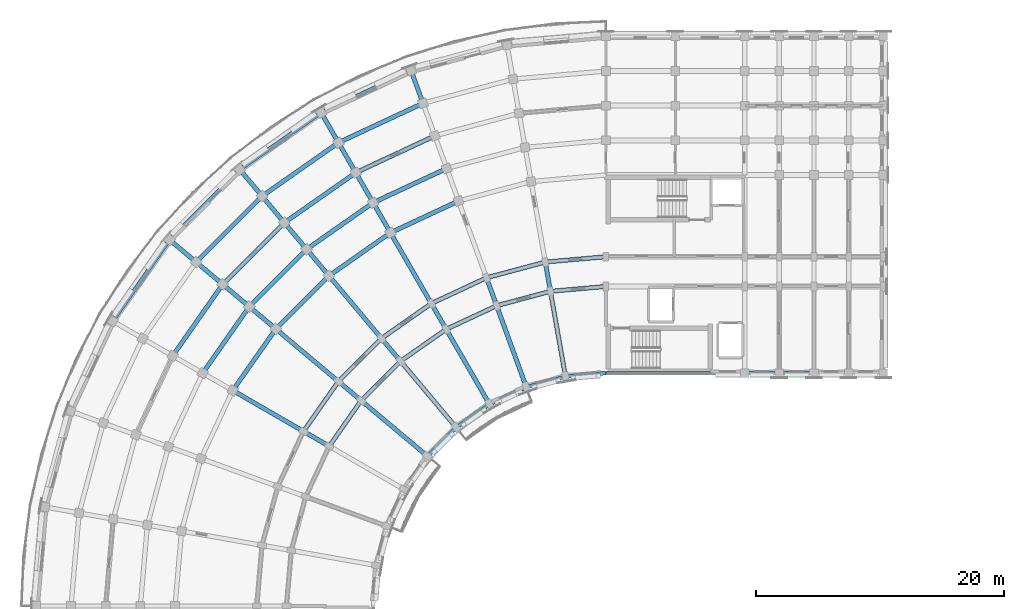
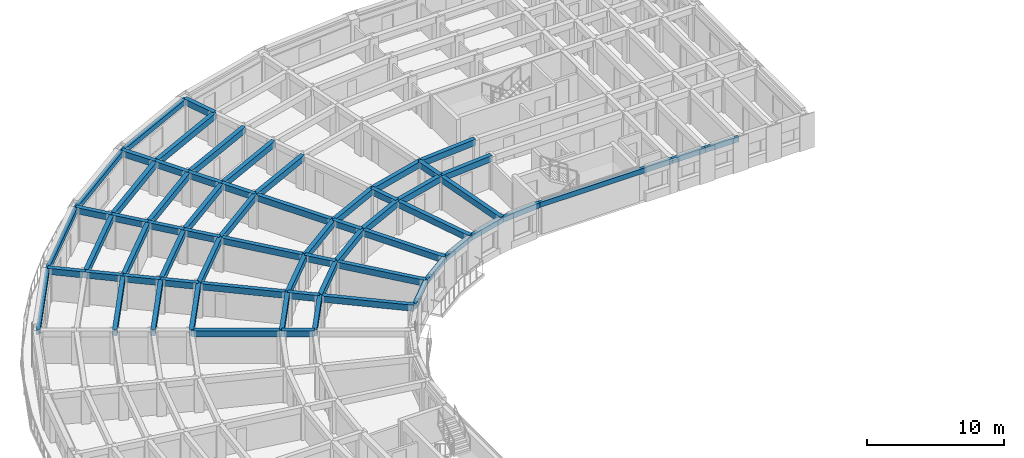
# One storey, part 9 of 57: 67 beams.
"""IFC4 building model written with IfcOpenShell, lengths in metres."""

from ifc_helpers import new_model, si_unit, direction, frame, origin, origin_2d, place, context, subcontext, project, spatial, rectangle, extrude, material, material_profile, profile_set, type_object, element, save


model = new_model("IFC4")

# Units and contexts
model_context = context("Model", 3, precision=1e-05, world=origin(), true_north=direction((0.0, 1.0)))
body_context = subcontext(model_context, "Body", "Model", "MODEL_VIEW")
ifc_project = project(units=[si_unit("LENGTHUNIT", "METRE"), si_unit("AREAUNIT", "SQUARE_METRE"), si_unit("VOLUMEUNIT", "CUBIC_METRE"), si_unit("PLANEANGLEUNIT", "RADIAN"), si_unit("MASSUNIT", "GRAM", prefix="KILO")], contexts=[model_context])

# Site, building, storey
site_placement = place(None, origin())
site = spatial("IfcSite", under=ifc_project, at=site_placement, CompositionType="ELEMENT")
building_placement = place(site_placement, origin())
building = spatial("IfcBuilding", under=site, at=building_placement, Name="Kiranvali Square Residences", CompositionType="ELEMENT")
storey_placement = place(building_placement, frame((0.0, 0.0, 21.300048828125)))
storey = spatial("IfcBuildingStorey", under=building, at=storey_placement, Name="L06", CompositionType="ELEMENT", Elevation=21.300048828125)

# Beams
ifc_material = material(Name="Concrete M40 (40 MPa)", Category="concrete")
ifc_material_profile_1 = material_profile(ifc_material, rectangle(XDim=0.35009765625, YDim=0.550048828125, at=origin_2d()), Name="RC 350x550")
ifc_profile_set_1 = profile_set([ifc_material_profile_1], Name="Concrete M40 (40 MPa)")
beam_type_1 = type_object("IfcBeamType", Name="BM-M40-350x550", PredefinedType="BEAM", material=ifc_profile_set_1)
beam_1_placement = place(storey_placement, frame((48.199951171875, 113.60009765625, 2.655029296875), z_axis=(-0.996191949488, -0.087187153726, 0.0), x_axis=(0.087187153726, -0.996191949488, 0.0)))
element("IfcBeam", 1, at=beam_1_placement, inside=storey, type_object=beam_type_1, Name="L06 beam BM-A-L06-C00-R1", PredefinedType="BEAM", context=body_context, shape_type="SweptSolid", body=[
    extrude(rectangle(XDim=0.35009765625, YDim=0.550048828125, at=origin_2d()), origin(), (0.0, 0.0, 1.0), 4.4970703125),
])
beam_2_placement = place(storey_placement, frame((48.199951171875, 116.0, 2.655029296875), z_axis=(-0.996193663584, -0.087167566415, 0.0), x_axis=(0.087167566415, -0.996193663584, 0.0)))
element("IfcBeam", 2, at=beam_2_placement, inside=storey, type_object=beam_type_1, Name="L06 beam BM-A-L06-C00-R2", PredefinedType="BEAM", context=body_context, shape_type="SweptSolid", body=[
    extrude(rectangle(XDim=0.35009765625, YDim=0.550048828125, at=origin_2d()), origin(), (0.0, 0.0, 1.0), 4.91552734375),
])
beam_3_placement = place(storey_placement, frame((43.719970703125, 113.2080078125, 2.655029296875), z_axis=(-0.965934240054, -0.258787642463, 0.0), x_axis=(0.258787642463, -0.965934240054, 0.0)))
element("IfcBeam", 3, at=beam_3_placement, inside=storey, type_object=beam_type_1, Name="L06 beam BM-A-L06-C01-R1", PredefinedType="BEAM", context=body_context, shape_type="SweptSolid", body=[
    extrude(rectangle(XDim=0.35009765625, YDim=0.550048828125, at=origin_2d()), origin(), (0.0, 0.0, 1.0), 4.497314453125),
])
beam_4_placement = place(storey_placement, frame((43.30322265625, 115.571533203125, 2.655029296875), z_axis=(-0.965930095386, -0.258803112091, 0.0), x_axis=(0.258803112091, -0.965930095386, 0.0)))
element("IfcBeam", 4, at=beam_4_placement, inside=storey, type_object=beam_type_1, Name="L06 beam BM-A-L06-C01-R2", PredefinedType="BEAM", context=body_context, shape_type="SweptSolid", body=[
    extrude(rectangle(XDim=0.35009765625, YDim=0.550048828125, at=origin_2d()), origin(), (0.0, 0.0, 1.0), 4.915771484375),
])
beam_5_placement = place(storey_placement, frame((39.3759765625, 112.044189453125, 2.655029296875), z_axis=(-0.906307919131, -0.422617978463, 0.0), x_axis=(0.422617978463, -0.906307919131, 0.0)))
element("IfcBeam", 5, at=beam_5_placement, inside=storey, type_object=beam_type_1, Name="L06 beam BM-A-L06-C02-R1", PredefinedType="BEAM", context=body_context, shape_type="SweptSolid", body=[
    extrude(rectangle(XDim=0.35009765625, YDim=0.550048828125, at=origin_2d()), origin(), (0.0, 0.0, 1.0), 4.497314453125),
])
beam_6_placement = place(storey_placement, frame((38.554931640625, 114.29931640625, 2.655029296875), z_axis=(-0.906302381024, -0.422629854778, 0.0), x_axis=(0.422629854778, -0.906302381024, 0.0)))
element("IfcBeam", 6, at=beam_6_placement, inside=storey, type_object=beam_type_1, Name="L06 beam BM-A-L06-C02-R2", PredefinedType="BEAM", context=body_context, shape_type="SweptSolid", body=[
    extrude(rectangle(XDim=0.35009765625, YDim=0.550048828125, at=origin_2d()), origin(), (0.0, 0.0, 1.0), 4.915283203125),
])
beam_7_placement = place(storey_placement, frame((36.297607421875, 120.501220703125, 2.655029296875), z_axis=(-0.906312656069, -0.42260781991, 0.0), x_axis=(0.42260781991, -0.906312656069, 0.0)))
element("IfcBeam", 7, at=beam_7_placement, inside=storey, type_object=beam_type_1, Name="L06 beam BM-A-L06-C02-R3", PredefinedType="BEAM", context=body_context, shape_type="SweptSolid", body=[
    extrude(rectangle(XDim=0.35009765625, YDim=0.550048828125, at=origin_2d()), origin(), (0.0, 0.0, 1.0), 6.06591796875),
])
beam_8_placement = place(storey_placement, frame((35.340087890625, 123.13232421875, 2.655029296875), z_axis=(-0.906318225223, -0.422595876255, 0.0), x_axis=(0.422595876255, -0.906318225223, 0.0)))
element("IfcBeam", 8, at=beam_8_placement, inside=storey, type_object=beam_type_1, Name="L06 beam BM-A-L06-C02-R4", PredefinedType="BEAM", context=body_context, shape_type="SweptSolid", body=[
    extrude(rectangle(XDim=0.35009765625, YDim=0.550048828125, at=origin_2d()), origin(), (0.0, 0.0, 1.0), 6.55419921875),
])
beam_9_placement = place(storey_placement, frame((34.38232421875, 125.763671875, 2.655029296875), z_axis=(-0.906297360311, -0.422640621205, 0.0), x_axis=(0.422640621205, -0.906297360311, 0.0)))
element("IfcBeam", 9, at=beam_9_placement, inside=storey, type_object=beam_type_1, Name="L06 beam BM-A-L06-C02-R5", PredefinedType="BEAM", context=body_context, shape_type="SweptSolid", body=[
    extrude(rectangle(XDim=0.35009765625, YDim=0.550048828125, at=origin_2d()), origin(), (0.0, 0.0, 1.0), 7.042236328125),
])
beam_10_placement = place(storey_placement, frame((33.4248046875, 128.394775390625, 2.655029296875), z_axis=(-0.90630982703, -0.422613886933, 0.0), x_axis=(0.422613886933, -0.90630982703, 0.0)))
element("IfcBeam", 10, at=beam_10_placement, inside=storey, type_object=beam_type_1, Name="L06 beam BM-A-L06-C02-R6", PredefinedType="BEAM", context=body_context, shape_type="SweptSolid", body=[
    extrude(rectangle(XDim=0.35009765625, YDim=0.550048828125, at=origin_2d()), origin(), (0.0, 0.0, 1.0), 7.5302734375),
])
beam_11_placement = place(storey_placement, frame((35.300048828125, 110.1435546875, 2.655029296875), z_axis=(-0.819155404658, -0.573571637217, 0.0), x_axis=(0.573571637217, -0.819155404658, 0.0)))
element("IfcBeam", 11, at=beam_11_placement, inside=storey, type_object=beam_type_1, Name="L06 beam BM-A-L06-C03-R1", PredefinedType="BEAM", context=body_context, shape_type="SweptSolid", body=[
    extrude(rectangle(XDim=0.35009765625, YDim=0.550048828125, at=origin_2d()), origin(), (0.0, 0.0, 1.0), 4.497314453125),
])
beam_12_placement = place(storey_placement, frame((34.10009765625, 112.221923828125, 2.655029296875), z_axis=(-0.819140911474, -0.573592335331, 0.0), x_axis=(0.573592335331, -0.819140911474, 0.0)))
element("IfcBeam", 12, at=beam_12_placement, inside=storey, type_object=beam_type_1, Name="L06 beam BM-A-L06-C03-R2", PredefinedType="BEAM", context=body_context, shape_type="SweptSolid", body=[
    extrude(rectangle(XDim=0.35009765625, YDim=0.550048828125, at=origin_2d()), origin(), (0.0, 0.0, 1.0), 4.915771484375),
])
beam_13_placement = place(storey_placement, frame((30.800048828125, 117.937744140625, 2.655029296875), z_axis=(-0.81913926159, -0.573594691504, 0.0), x_axis=(0.573594691504, -0.81913926159, 0.0)))
element("IfcBeam", 13, at=beam_13_placement, inside=storey, type_object=beam_type_1, Name="L06 beam BM-A-L06-C03-R3", PredefinedType="BEAM", context=body_context, shape_type="SweptSolid", body=[
    extrude(rectangle(XDim=0.35009765625, YDim=0.550048828125, at=origin_2d()), origin(), (0.0, 0.0, 1.0), 6.066162109375),
])
beam_14_placement = place(storey_placement, frame((29.39990234375, 120.362548828125, 2.655029296875), z_axis=(-0.819144409176, -0.573587340268, 0.0), x_axis=(0.573587340268, -0.819144409176, 0.0)))
element("IfcBeam", 14, at=beam_14_placement, inside=storey, type_object=beam_type_1, Name="L06 beam BM-A-L06-C03-R4", PredefinedType="BEAM", context=body_context, shape_type="SweptSolid", body=[
    extrude(rectangle(XDim=0.35009765625, YDim=0.550048828125, at=origin_2d()), origin(), (0.0, 0.0, 1.0), 6.553955078125),
])
beam_15_placement = place(storey_placement, frame((28.0, 122.787353515625, 2.655029296875), z_axis=(-0.819160249246, -0.57356471828, 0.0), x_axis=(0.57356471828, -0.819160249246, 0.0)))
element("IfcBeam", 15, at=beam_15_placement, inside=storey, type_object=beam_type_1, Name="L06 beam BM-A-L06-C03-R5", PredefinedType="BEAM", context=body_context, shape_type="SweptSolid", body=[
    extrude(rectangle(XDim=0.35009765625, YDim=0.550048828125, at=origin_2d()), origin(), (0.0, 0.0, 1.0), 7.0419921875),
])
beam_16_placement = place(storey_placement, frame((26.60009765625, 125.21240234375, 2.655029296875), z_axis=(-0.819143569597, -0.573588539275, 0.0), x_axis=(0.573588539275, -0.819143569597, 0.0)))
element("IfcBeam", 16, at=beam_16_placement, inside=storey, type_object=beam_type_1, Name="L06 beam BM-A-L06-C03-R6", PredefinedType="BEAM", context=body_context, shape_type="SweptSolid", body=[
    extrude(rectangle(XDim=0.35009765625, YDim=0.550048828125, at=origin_2d()), origin(), (0.0, 0.0, 1.0), 7.5302734375),
])
beam_17_placement = place(storey_placement, frame((31.615966796875, 107.56396484375, 2.655029296875), z_axis=(-0.707106781187, -0.707106781187, 0.0), x_axis=(0.707106781187, -0.707106781187, 0.0)))
element("IfcBeam", 17, at=beam_17_placement, inside=storey, type_object=beam_type_1, Name="L06 beam BM-A-L06-C04-R1", PredefinedType="BEAM", context=body_context, shape_type="SweptSolid", body=[
    extrude(rectangle(XDim=0.35009765625, YDim=0.550048828125, at=origin_2d()), origin(), (0.0, 0.0, 1.0), 4.4970703125),
])
beam_18_placement = place(storey_placement, frame((30.073486328125, 109.40234375, 2.655029296875), z_axis=(-0.707106781187, -0.707106781187, 0.0), x_axis=(0.707106781187, -0.707106781187, 0.0)))
element("IfcBeam", 18, at=beam_18_placement, inside=storey, type_object=beam_type_1, Name="L06 beam BM-A-L06-C04-R2", PredefinedType="BEAM", context=body_context, shape_type="SweptSolid", body=[
    extrude(rectangle(XDim=0.35009765625, YDim=0.550048828125, at=origin_2d()), origin(), (0.0, 0.0, 1.0), 4.91552734375),
])
beam_19_placement = place(storey_placement, frame((25.8310546875, 114.458251953125, 2.655029296875), z_axis=(-0.707106781187, -0.707106781187, 0.0), x_axis=(0.707106781187, -0.707106781187, 0.0)))
element("IfcBeam", 19, at=beam_19_placement, inside=storey, type_object=beam_type_1, Name="L06 beam BM-A-L06-C04-R3", PredefinedType="BEAM", context=body_context, shape_type="SweptSolid", body=[
    extrude(rectangle(XDim=0.35009765625, YDim=0.550048828125, at=origin_2d()), origin(), (0.0, 0.0, 1.0), 6.06591796875),
])
beam_20_placement = place(storey_placement, frame((24.03125, 116.603271484375, 2.655029296875), z_axis=(-0.707106781187, -0.707106781187, 0.0), x_axis=(0.707106781187, -0.707106781187, 0.0)))
element("IfcBeam", 20, at=beam_20_placement, inside=storey, type_object=beam_type_1, Name="L06 beam BM-A-L06-C04-R4", PredefinedType="BEAM", context=body_context, shape_type="SweptSolid", body=[
    extrude(rectangle(XDim=0.35009765625, YDim=0.550048828125, at=origin_2d()), origin(), (0.0, 0.0, 1.0), 6.55419921875),
])
beam_21_placement = place(storey_placement, frame((22.2314453125, 118.748291015625, 2.655029296875), z_axis=(-0.707106781187, -0.707106781187, 0.0), x_axis=(0.707106781187, -0.707106781187, 0.0)))
element("IfcBeam", 21, at=beam_21_placement, inside=storey, type_object=beam_type_1, Name="L06 beam BM-A-L06-C04-R5", PredefinedType="BEAM", context=body_context, shape_type="SweptSolid", body=[
    extrude(rectangle(XDim=0.35009765625, YDim=0.550048828125, at=origin_2d()), origin(), (0.0, 0.0, 1.0), 7.04248046875),
])
beam_22_placement = place(storey_placement, frame((20.431640625, 120.89306640625, 2.655029296875), z_axis=(-0.707106781187, -0.707106781187, 0.0), x_axis=(0.707106781187, -0.707106781187, 0.0)))
element("IfcBeam", 22, at=beam_22_placement, inside=storey, type_object=beam_type_1, Name="L06 beam BM-A-L06-C04-R6", PredefinedType="BEAM", context=body_context, shape_type="SweptSolid", body=[
    extrude(rectangle(XDim=0.35009765625, YDim=0.550048828125, at=origin_2d()), origin(), (0.0, 0.0, 1.0), 7.5302734375),
])
beam_23_placement = place(storey_placement, frame((28.43603515625, 104.384033203125, 2.655029296875), z_axis=(-0.573571637217, -0.819155404658, 0.0), x_axis=(0.819155404658, -0.573571637217, 0.0)))
element("IfcBeam", 23, at=beam_23_placement, inside=storey, type_object=beam_type_1, Name="L06 beam BM-A-L06-C05-R1", PredefinedType="BEAM", context=body_context, shape_type="SweptSolid", body=[
    extrude(rectangle(XDim=0.35009765625, YDim=0.550048828125, at=origin_2d()), origin(), (0.0, 0.0, 1.0), 4.497314453125),
])
beam_24_placement = place(storey_placement, frame((26.59765625, 105.926513671875, 2.655029296875), z_axis=(-0.573592335331, -0.819140911474, 0.0), x_axis=(0.819140911474, -0.573592335331, 0.0)))
element("IfcBeam", 24, at=beam_24_placement, inside=storey, type_object=beam_type_1, Name="L06 beam BM-A-L06-C05-R2", PredefinedType="BEAM", context=body_context, shape_type="SweptSolid", body=[
    extrude(rectangle(XDim=0.35009765625, YDim=0.550048828125, at=origin_2d()), origin(), (0.0, 0.0, 1.0), 4.915771484375),
])
beam_25_placement = place(storey_placement, frame((21.541748046875, 110.1689453125, 2.655029296875), z_axis=(-0.573594691504, -0.81913926159, 0.0), x_axis=(0.81913926159, -0.573594691504, 0.0)))
element("IfcBeam", 25, at=beam_25_placement, inside=storey, type_object=beam_type_1, Name="L06 beam BM-A-L06-C05-R3", PredefinedType="BEAM", context=body_context, shape_type="SweptSolid", body=[
    extrude(rectangle(XDim=0.35009765625, YDim=0.550048828125, at=origin_2d()), origin(), (0.0, 0.0, 1.0), 6.066162109375),
])
beam_26_placement = place(storey_placement, frame((19.396728515625, 111.96875, 2.655029296875), z_axis=(-0.573587340268, -0.819144409176, 0.0), x_axis=(0.819144409176, -0.573587340268, 0.0)))
element("IfcBeam", 26, at=beam_26_placement, inside=storey, type_object=beam_type_1, Name="L06 beam BM-A-L06-C05-R4", PredefinedType="BEAM", context=body_context, shape_type="SweptSolid", body=[
    extrude(rectangle(XDim=0.35009765625, YDim=0.550048828125, at=origin_2d()), origin(), (0.0, 0.0, 1.0), 6.553955078125),
])
beam_27_placement = place(storey_placement, frame((17.251708984375, 113.7685546875, 2.655029296875), z_axis=(-0.57356471828, -0.819160249246, 0.0), x_axis=(0.819160249246, -0.57356471828, 0.0)))
element("IfcBeam", 27, at=beam_27_placement, inside=storey, type_object=beam_type_1, Name="L06 beam BM-A-L06-C05-R5", PredefinedType="BEAM", context=body_context, shape_type="SweptSolid", body=[
    extrude(rectangle(XDim=0.35009765625, YDim=0.550048828125, at=origin_2d()), origin(), (0.0, 0.0, 1.0), 7.0419921875),
])
beam_28_placement = place(storey_placement, frame((44.935302734375, 106.314453125, 2.655029296875), z_axis=(-0.173622177865, 0.984812337125, 0.0), x_axis=(-0.984812337125, -0.173622177865, 0.0)))
element("IfcBeam", 28, at=beam_28_placement, inside=storey, type_object=beam_type_1, Name="L06 beam BM-A-L06-RAD01-01", PredefinedType="BEAM", context=body_context, shape_type="SweptSolid", body=[
    extrude(rectangle(XDim=0.35009765625, YDim=0.550048828125, at=origin_2d()), origin(), (0.0, 0.0, 1.0), 6.999755859375),
])
beam_29_placement = place(storey_placement, frame((43.719970703125, 113.2080078125, 2.655029296875), z_axis=(-0.173646056486, 0.984808127031, 0.0), x_axis=(-0.984808127031, -0.173646056486, 0.0)))
element("IfcBeam", 29, at=beam_29_placement, inside=storey, type_object=beam_type_1, Name="L06 beam BM-A-L06-RAD01-12", PredefinedType="BEAM", context=body_context, shape_type="SweptSolid", body=[
    extrude(rectangle(XDim=0.35009765625, YDim=0.550048828125, at=origin_2d()), origin(), (0.0, 0.0, 1.0), 2.39990234375),
])
beam_30_placement = place(storey_placement, frame((41.77001953125, 105.46630859375, 2.655029296875), z_axis=(-0.342006283793, 0.939697665127, 0.0), x_axis=(-0.939697665127, -0.342006283793, 0.0)))
element("IfcBeam", 30, at=beam_30_placement, inside=storey, type_object=beam_type_1, Name="L06 beam BM-A-L06-RAD02-01", PredefinedType="BEAM", context=body_context, shape_type="SweptSolid", body=[
    extrude(rectangle(XDim=0.35009765625, YDim=0.550048828125, at=origin_2d()), origin(), (0.0, 0.0, 1.0), 7.0),
])
beam_31_placement = place(storey_placement, frame((39.3759765625, 112.044189453125, 2.655029296875), z_axis=(-0.342110593602, 0.939659694648, 0.0), x_axis=(-0.939659694648, -0.342110593602, 0.0)))
element("IfcBeam", 31, at=beam_31_placement, inside=storey, type_object=beam_type_1, Name="L06 beam BM-A-L06-RAD02-12", PredefinedType="BEAM", context=body_context, shape_type="SweptSolid", body=[
    extrude(rectangle(XDim=0.35009765625, YDim=0.550048828125, at=origin_2d()), origin(), (0.0, 0.0, 1.0), 2.39990234375),
])
beam_32_placement = place(storey_placement, frame((33.4248046875, 128.394775390625, 2.655029296875), z_axis=(-0.342058084236, 0.939678810556, 0.0), x_axis=(-0.939678810556, -0.342058084236, 0.0)))
element("IfcBeam", 32, at=beam_32_placement, inside=storey, type_object=beam_type_1, Name="L06 beam BM-A-L06-RAD02-67", PredefinedType="BEAM", context=body_context, shape_type="SweptSolid", body=[
    extrude(rectangle(XDim=0.35009765625, YDim=0.550048828125, at=origin_2d()), origin(), (0.0, 0.0, 1.0), 2.800048828125),
])
beam_33_placement = place(storey_placement, frame((38.800048828125, 104.081298828125, 2.655029296875), z_axis=(-0.499995173006, 0.866028190633, 0.0), x_axis=(-0.866028190633, -0.499995173006, 0.0)))
element("IfcBeam", 33, at=beam_33_placement, inside=storey, type_object=beam_type_1, Name="L06 beam BM-A-L06-RAD03-01", PredefinedType="BEAM", context=body_context, shape_type="SweptSolid", body=[
    extrude(rectangle(XDim=0.35009765625, YDim=0.550048828125, at=origin_2d()), origin(), (0.0, 0.0, 1.0), 7.0),
])
beam_34_placement = place(storey_placement, frame((35.300048828125, 110.1435546875, 2.655029296875), z_axis=(-0.500001309137, 0.866024647952, 0.0), x_axis=(-0.866024647952, -0.500001309137, 0.0)))
element("IfcBeam", 34, at=beam_34_placement, inside=storey, type_object=beam_type_1, Name="L06 beam BM-A-L06-RAD03-12", PredefinedType="BEAM", context=body_context, shape_type="SweptSolid", body=[
    extrude(rectangle(XDim=0.35009765625, YDim=0.550048828125, at=origin_2d()), origin(), (0.0, 0.0, 1.0), 2.39990234375),
])
beam_35_placement = place(storey_placement, frame((34.10009765625, 112.221923828125, 2.655029296875), z_axis=(-0.500002094529, 0.866024194504, 0.0), x_axis=(-0.866024194504, -0.500002094529, 0.0)))
element("IfcBeam", 35, at=beam_35_placement, inside=storey, type_object=beam_type_1, Name="L06 beam BM-A-L06-RAD03-23", PredefinedType="BEAM", context=body_context, shape_type="SweptSolid", body=[
    extrude(rectangle(XDim=0.35009765625, YDim=0.550048828125, at=origin_2d()), origin(), (0.0, 0.0, 1.0), 6.60009765625),
])
beam_36_placement = place(storey_placement, frame((30.800048828125, 117.937744140625, 2.655029296875), z_axis=(-0.500049511043, 0.865996816683, 0.0), x_axis=(-0.865996816683, -0.500049511043, 0.0)))
element("IfcBeam", 36, at=beam_36_placement, inside=storey, type_object=beam_type_1, Name="L06 beam BM-A-L06-RAD03-34", PredefinedType="BEAM", context=body_context, shape_type="SweptSolid", body=[
    extrude(rectangle(XDim=0.35009765625, YDim=0.550048828125, at=origin_2d()), origin(), (0.0, 0.0, 1.0), 2.800048828125),
])
beam_37_placement = place(storey_placement, frame((29.39990234375, 120.362548828125, 2.655029296875), z_axis=(-0.49998411664, 0.866034573852, 0.0), x_axis=(-0.866034573852, -0.49998411664, 0.0)))
element("IfcBeam", 37, at=beam_37_placement, inside=storey, type_object=beam_type_1, Name="L06 beam BM-A-L06-RAD03-45", PredefinedType="BEAM", context=body_context, shape_type="SweptSolid", body=[
    extrude(rectangle(XDim=0.35009765625, YDim=0.550048828125, at=origin_2d()), origin(), (0.0, 0.0, 1.0), 2.7998046875),
])
for number, where, z_axis, x_axis, name in (
    (38, (28.0, 122.787353515625, 2.655029296875), (-0.49994636267, 0.866056369097, 0.0), (-0.866056369097, -0.49994636267, 0.0), "L06 beam BM-A-L06-RAD03-56"),
    (39, (26.60009765625, 125.21240234375, 2.655029296875), (-0.500049511043, 0.865996816683, 0.0), (-0.865996816683, -0.500049511043, 0.0), "L06 beam BM-A-L06-RAD03-67"),
):
    element("IfcBeam", number, at=place(storey_placement, frame(where, z_axis=z_axis, x_axis=x_axis)), inside=storey, type_object=beam_type_1, Name=name, PredefinedType="BEAM", context=body_context, shape_type="SweptSolid", body=[
        extrude(rectangle(XDim=0.35009765625, YDim=0.550048828125, at=origin_2d()), origin(), (0.0, 0.0, 1.0), 2.800048828125),
    ])
beam_38_placement = place(storey_placement, frame((36.115478515625, 102.20166015625, 2.655029296875), z_axis=(-0.642787931032, 0.766044173478, 0.0), x_axis=(-0.766044173478, -0.642787931032, 0.0)))
element("IfcBeam", 40, at=beam_38_placement, inside=storey, type_object=beam_type_1, Name="L06 beam BM-A-L06-RAD04-01", PredefinedType="BEAM", context=body_context, shape_type="SweptSolid", body=[
    extrude(rectangle(XDim=0.35009765625, YDim=0.550048828125, at=origin_2d()), origin(), (0.0, 0.0, 1.0), 7.0),
])
beam_39_placement = place(storey_placement, frame((31.615966796875, 107.56396484375, 2.655029296875), z_axis=(-0.642762521781, 0.766065493671, 0.0), x_axis=(-0.766065493671, -0.642762521781, 0.0)))
element("IfcBeam", 41, at=beam_39_placement, inside=storey, type_object=beam_type_1, Name="L06 beam BM-A-L06-RAD04-12", PredefinedType="BEAM", context=body_context, shape_type="SweptSolid", body=[
    extrude(rectangle(XDim=0.35009765625, YDim=0.550048828125, at=origin_2d()), origin(), (0.0, 0.0, 1.0), 2.399658203125),
])
beam_40_placement = place(storey_placement, frame((30.073486328125, 109.40234375, 2.655029296875), z_axis=(-0.642789470807, 0.766042881449, 0.0), x_axis=(-0.766042881449, -0.642789470807, 0.0)))
element("IfcBeam", 42, at=beam_40_placement, inside=storey, type_object=beam_type_1, Name="L06 beam BM-A-L06-RAD04-23", PredefinedType="BEAM", context=body_context, shape_type="SweptSolid", body=[
    extrude(rectangle(XDim=0.35009765625, YDim=0.550048828125, at=origin_2d()), origin(), (0.0, 0.0, 1.0), 6.60009765625),
])
for number, where, z_axis, x_axis, name in (
    (43, (25.8310546875, 114.458251953125, 2.655029296875), (-0.642770757628, 0.766058583359, 0.0), (-0.766058583359, -0.642770757628, 0.0), "L06 beam BM-A-L06-RAD04-34"),
    (44, (24.03125, 116.603271484375, 2.655029296875), (-0.642770757628, 0.766058583359, 0.0), (-0.766058583359, -0.642770757628, 0.0), "L06 beam BM-A-L06-RAD04-45"),
):
    element("IfcBeam", number, at=place(storey_placement, frame(where, z_axis=z_axis, x_axis=x_axis)), inside=storey, type_object=beam_type_1, Name=name, PredefinedType="BEAM", context=body_context, shape_type="SweptSolid", body=[
        extrude(rectangle(XDim=0.35009765625, YDim=0.550048828125, at=origin_2d()), origin(), (0.0, 0.0, 1.0), 2.800048828125),
    ])
beam_41_placement = place(storey_placement, frame((22.2314453125, 118.748291015625, 2.655029296875), z_axis=(-0.642813692253, 0.76602255649, 0.0), x_axis=(-0.76602255649, -0.642813692253, 0.0)))
element("IfcBeam", 45, at=beam_41_placement, inside=storey, type_object=beam_type_1, Name="L06 beam BM-A-L06-RAD04-56", PredefinedType="BEAM", context=body_context, shape_type="SweptSolid", body=[
    extrude(rectangle(XDim=0.35009765625, YDim=0.550048828125, at=origin_2d()), origin(), (0.0, 0.0, 1.0), 2.7998046875),
])
beam_42_placement = place(storey_placement, frame((20.431640625, 120.89306640625, 2.655029296875), z_axis=(-0.642770757628, 0.766058583359, 0.0), x_axis=(-0.766058583359, -0.642770757628, 0.0)))
element("IfcBeam", 46, at=beam_42_placement, inside=storey, type_object=beam_type_1, Name="L06 beam BM-A-L06-RAD04-67", PredefinedType="BEAM", context=body_context, shape_type="SweptSolid", body=[
    extrude(rectangle(XDim=0.35009765625, YDim=0.550048828125, at=origin_2d()), origin(), (0.0, 0.0, 1.0), 2.800048828125),
])
beam_43_placement = place(storey_placement, frame((33.79833984375, 99.884521484375, 2.655029296875), z_axis=(-0.766044173478, 0.642787931032, 0.0), x_axis=(-0.642787931032, -0.766044173478, 0.0)))
element("IfcBeam", 47, at=beam_43_placement, inside=storey, type_object=beam_type_1, Name="L06 beam BM-A-L06-RAD05-01", PredefinedType="BEAM", context=body_context, shape_type="SweptSolid", body=[
    extrude(rectangle(XDim=0.35009765625, YDim=0.550048828125, at=origin_2d()), origin(), (0.0, 0.0, 1.0), 7.0),
])
beam_44_placement = place(storey_placement, frame((28.43603515625, 104.384033203125, 2.655029296875), z_axis=(-0.766065493671, 0.642762521781, 0.0), x_axis=(-0.642762521781, -0.766065493671, 0.0)))
element("IfcBeam", 48, at=beam_44_placement, inside=storey, type_object=beam_type_1, Name="L06 beam BM-A-L06-RAD05-12", PredefinedType="BEAM", context=body_context, shape_type="SweptSolid", body=[
    extrude(rectangle(XDim=0.35009765625, YDim=0.550048828125, at=origin_2d()), origin(), (0.0, 0.0, 1.0), 2.399658203125),
])
beam_45_placement = place(storey_placement, frame((26.59765625, 105.926513671875, 2.655029296875), z_axis=(-0.766042881449, 0.642789470807, 0.0), x_axis=(-0.642789470807, -0.766042881449, 0.0)))
element("IfcBeam", 49, at=beam_45_placement, inside=storey, type_object=beam_type_1, Name="L06 beam BM-A-L06-RAD05-23", PredefinedType="BEAM", context=body_context, shape_type="SweptSolid", body=[
    extrude(rectangle(XDim=0.35009765625, YDim=0.550048828125, at=origin_2d()), origin(), (0.0, 0.0, 1.0), 6.60009765625),
])
for number, where, z_axis, x_axis, name in (
    (50, (21.541748046875, 110.1689453125, 2.655029296875), (-0.766058583359, 0.642770757628, 0.0), (-0.642770757628, -0.766058583359, 0.0), "L06 beam BM-A-L06-RAD05-34"),
    (51, (19.396728515625, 111.96875, 2.655029296875), (-0.766058583359, 0.642770757628, 0.0), (-0.642770757628, -0.766058583359, 0.0), "L06 beam BM-A-L06-RAD05-45"),
):
    element("IfcBeam", number, at=place(storey_placement, frame(where, z_axis=z_axis, x_axis=x_axis)), inside=storey, type_object=beam_type_1, Name=name, PredefinedType="BEAM", context=body_context, shape_type="SweptSolid", body=[
        extrude(rectangle(XDim=0.35009765625, YDim=0.550048828125, at=origin_2d()), origin(), (0.0, 0.0, 1.0), 2.800048828125),
    ])
beam_46_placement = place(storey_placement, frame((17.251708984375, 113.7685546875, 2.655029296875), z_axis=(-0.76602255649, 0.642813692253, 0.0), x_axis=(-0.642813692253, -0.76602255649, 0.0)))
element("IfcBeam", 52, at=beam_46_placement, inside=storey, type_object=beam_type_1, Name="L06 beam BM-A-L06-RAD05-56", PredefinedType="BEAM", context=body_context, shape_type="SweptSolid", body=[
    extrude(rectangle(XDim=0.35009765625, YDim=0.550048828125, at=origin_2d()), origin(), (0.0, 0.0, 1.0), 2.7998046875),
])
beam_47_placement = place(storey_placement, frame((15.10693359375, 115.568359375, 2.655029296875), z_axis=(-0.766058583359, 0.642770757628, 0.0), x_axis=(-0.642770757628, -0.766058583359, 0.0)))
element("IfcBeam", 53, at=beam_47_placement, inside=storey, type_object=beam_type_1, Name="L06 beam BM-A-L06-RAD05-67", PredefinedType="BEAM", context=body_context, shape_type="SweptSolid", body=[
    extrude(rectangle(XDim=0.35009765625, YDim=0.550048828125, at=origin_2d()), origin(), (0.0, 0.0, 1.0), 2.800048828125),
])
beam_48_placement = place(storey_placement, frame((25.8564453125, 100.699951171875, 2.655029296875), z_axis=(-0.866024647952, 0.500001309137, 0.0), x_axis=(-0.500001309137, -0.866024647952, 0.0)))
element("IfcBeam", 54, at=beam_48_placement, inside=storey, type_object=beam_type_1, Name="L06 beam BM-A-L06-RAD06-12", PredefinedType="BEAM", context=body_context, shape_type="SweptSolid", body=[
    extrude(rectangle(XDim=0.35009765625, YDim=0.550048828125, at=origin_2d()), origin(), (0.0, 0.0, 1.0), 2.39990234375),
])
beam_49_placement = place(storey_placement, frame((23.778076171875, 101.89990234375, 2.655029296875), z_axis=(-0.866024194504, 0.500002094529, 0.0), x_axis=(-0.500002094529, -0.866024194504, 0.0)))
element("IfcBeam", 55, at=beam_49_placement, inside=storey, type_object=beam_type_1, Name="L06 beam BM-A-L06-RAD06-23", PredefinedType="BEAM", context=body_context, shape_type="SweptSolid", body=[
    extrude(rectangle(XDim=0.35009765625, YDim=0.550048828125, at=origin_2d()), origin(), (0.0, 0.0, 1.0), 6.60009765625),
])
ifc_material_profile_2 = material_profile(ifc_material, rectangle(XDim=0.25, YDim=0.449951171875, at=origin_2d()), Name="RC 250x450")
ifc_profile_set_2 = profile_set([ifc_material_profile_2], Name="Concrete M40 (40 MPa)")
beam_type_2 = type_object("IfcBeamType", Name="SPN-M40-250x450", PredefinedType="SPANDREL", material=ifc_profile_set_2)
beam_50_placement = place(storey_placement, frame((48.199951171875, 106.60009765625, 2.704833984375), z_axis=(1.0, 0.0, 0.0), x_axis=(0.0, 1.0, 0.0)))
element("IfcBeam", 56, at=beam_50_placement, inside=storey, type_object=beam_type_2, Name="L06 beam BM-A-L06-A1U0-R0", PredefinedType="SPANDREL", context=body_context, shape_type="SweptSolid", body=[
    extrude(rectangle(XDim=0.25, YDim=0.449951171875, at=origin_2d()), origin(), (0.0, 0.0, 1.0), 11.199951171875),
])
for number, where, z_axis, x_axis, name in (
    (57, (59.39990234375, 106.60009765625, 2.704833984375), (1.0, 0.0, 0.0), (0.0, 1.0, 0.0), "L06 beam BM-A-L06-A1U1-R0"),
    (58, (62.199951171875, 106.60009765625, 2.704833984375), (1.0, 0.0, 0.0), (0.0, 1.0, 0.0), "L06 beam BM-A-L06-A1U2-R0"),
):
    element("IfcBeam", number, at=place(storey_placement, frame(where, z_axis=z_axis, x_axis=x_axis)), inside=storey, type_object=beam_type_2, Name=name, PredefinedType="SPANDREL", context=body_context, shape_type="SweptSolid", body=[
        extrude(rectangle(XDim=0.25, YDim=0.449951171875, at=origin_2d()), origin(), (0.0, 0.0, 1.0), 2.800048828125),
    ])
ifc_material_profile_3 = material_profile(ifc_material, rectangle(XDim=0.300048828125, YDim=0.449951171875, at=origin_2d()), Name="RC 300x450")
ifc_profile_set_3 = profile_set([ifc_material_profile_3], Name="Concrete M40 (40 MPa)")
beam_type_3 = type_object("IfcBeamType", Name="SPN-M40-300x450", PredefinedType="SPANDREL", material=ifc_profile_set_3)
beam_51_placement = place(storey_placement, frame((48.199951171875, 106.60009765625, 2.704833984375), z_axis=(-0.996194040944, -0.087163253657, 0.0), x_axis=(0.087163253657, -0.996194040944, 0.0)))
element("IfcBeam", 59, at=beam_51_placement, inside=storey, type_object=beam_type_3, Name="L06 beam BM-A-L06-C00-R0", PredefinedType="SPANDREL", context=body_context, shape_type="SweptSolid", body=[
    extrude(rectangle(XDim=0.300048828125, YDim=0.449951171875, at=origin_2d()), origin(), (0.0, 0.0, 1.0), 3.277099609375),
])
beam_52_placement = place(storey_placement, frame((44.935302734375, 106.314453125, 2.704833984375), z_axis=(-0.965925105099, -0.258821736607, 0.0), x_axis=(0.258821736607, -0.965925105099, 0.0)))
element("IfcBeam", 60, at=beam_52_placement, inside=storey, type_object=beam_type_3, Name="L06 beam BM-A-L06-C01-R0", PredefinedType="SPANDREL", context=body_context, shape_type="SweptSolid", body=[
    extrude(rectangle(XDim=0.300048828125, YDim=0.449951171875, at=origin_2d()), origin(), (0.0, 0.0, 1.0), 3.27685546875),
])
beam_53_placement = place(storey_placement, frame((41.77001953125, 105.46630859375, 2.704833984375), z_axis=(-0.90629730464, -0.422640740585, 0.0), x_axis=(0.422640740585, -0.90629730464, 0.0)))
element("IfcBeam", 61, at=beam_53_placement, inside=storey, type_object=beam_type_3, Name="L06 beam BM-A-L06-C02-R0", PredefinedType="SPANDREL", context=body_context, shape_type="SweptSolid", body=[
    extrude(rectangle(XDim=0.300048828125, YDim=0.449951171875, at=origin_2d()), origin(), (0.0, 0.0, 1.0), 3.277099609375),
])
beam_54_placement = place(storey_placement, frame((32.467041015625, 131.02587890625, 2.704833984375), z_axis=(-0.906309113636, -0.422615416827, 0.0), x_axis=(0.422615416827, -0.906309113636, 0.0)))
element("IfcBeam", 62, at=beam_54_placement, inside=storey, type_object=beam_type_3, Name="L06 beam BM-A-L06-C02-R7", PredefinedType="SPANDREL", context=body_context, shape_type="SweptSolid", body=[
    extrude(rectangle(XDim=0.300048828125, YDim=0.449951171875, at=origin_2d()), origin(), (0.0, 0.0, 1.0), 8.018310546875),
])
beam_55_placement = place(storey_placement, frame((38.800048828125, 104.081298828125, 2.704833984375), z_axis=(-0.81916891812, -0.573552337269, 0.0), x_axis=(0.573552337269, -0.81916891812, 0.0)))
element("IfcBeam", 63, at=beam_55_placement, inside=storey, type_object=beam_type_3, Name="L06 beam BM-A-L06-C03-R0", PredefinedType="SPANDREL", context=body_context, shape_type="SweptSolid", body=[
    extrude(rectangle(XDim=0.300048828125, YDim=0.449951171875, at=origin_2d()), origin(), (0.0, 0.0, 1.0), 3.277099609375),
])
beam_56_placement = place(storey_placement, frame((25.199951171875, 127.63720703125, 2.704833984375), z_axis=(-0.819147515001, -0.573582904791, 0.0), x_axis=(0.573582904791, -0.819147515001, 0.0)))
element("IfcBeam", 64, at=beam_56_placement, inside=storey, type_object=beam_type_3, Name="L06 beam BM-A-L06-C03-R7", PredefinedType="SPANDREL", context=body_context, shape_type="SweptSolid", body=[
    extrude(rectangle(XDim=0.300048828125, YDim=0.449951171875, at=origin_2d()), origin(), (0.0, 0.0, 1.0), 8.018310546875),
])
beam_57_placement = place(storey_placement, frame((36.115478515625, 102.20166015625, 2.704833984375), z_axis=(-0.707106781187, -0.707106781187, 0.0), x_axis=(0.707106781187, -0.707106781187, 0.0)))
element("IfcBeam", 65, at=beam_57_placement, inside=storey, type_object=beam_type_3, Name="L06 beam BM-A-L06-C04-R0", PredefinedType="SPANDREL", context=body_context, shape_type="SweptSolid", body=[
    extrude(rectangle(XDim=0.300048828125, YDim=0.449951171875, at=origin_2d()), origin(), (0.0, 0.0, 1.0), 3.27685546875),
])
beam_58_placement = place(storey_placement, frame((18.6318359375, 123.0380859375, 2.704833984375), z_axis=(-0.707106781187, -0.707106781187, 0.0), x_axis=(0.707106781187, -0.707106781187, 0.0)))
element("IfcBeam", 66, at=beam_58_placement, inside=storey, type_object=beam_type_3, Name="L06 beam BM-A-L06-C04-R7", PredefinedType="SPANDREL", context=body_context, shape_type="SweptSolid", body=[
    extrude(rectangle(XDim=0.300048828125, YDim=0.449951171875, at=origin_2d()), origin(), (0.0, 0.0, 1.0), 8.0185546875),
])
beam_59_placement = place(storey_placement, frame((12.9619140625, 117.3681640625, 2.704833984375), z_axis=(-0.573582904791, -0.819147515001, 0.0), x_axis=(0.819147515001, -0.573582904791, 0.0)))
element("IfcBeam", 67, at=beam_59_placement, inside=storey, type_object=beam_type_3, Name="L06 beam BM-A-L06-C05-R7", PredefinedType="SPANDREL", context=body_context, shape_type="SweptSolid", body=[
    extrude(rectangle(XDim=0.300048828125, YDim=0.449951171875, at=origin_2d()), origin(), (0.0, 0.0, 1.0), 8.018310546875),
])

save(model, "model.ifc")
